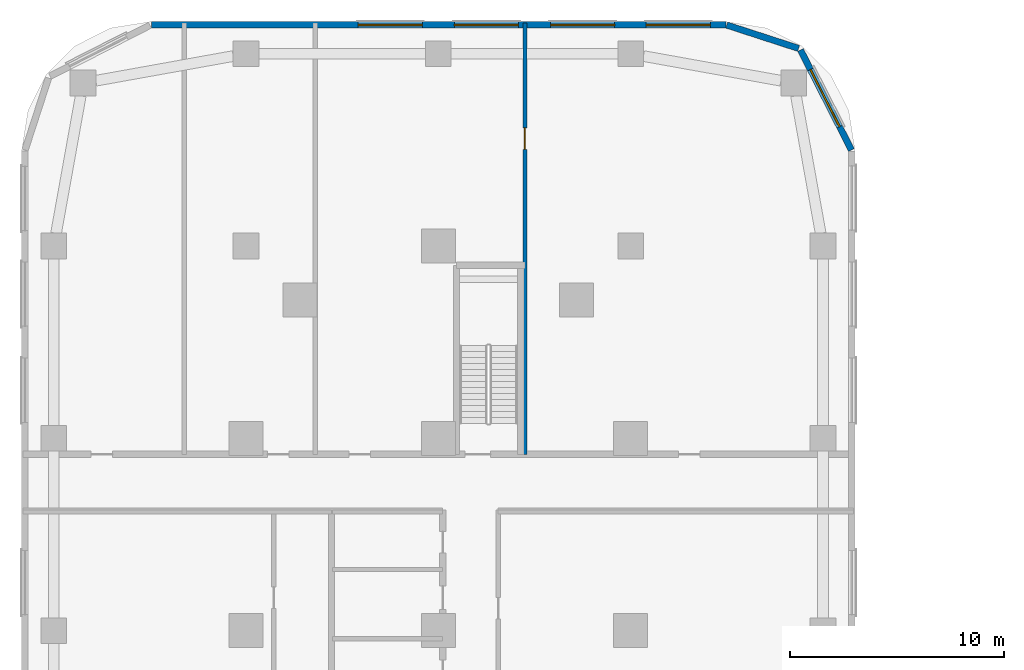
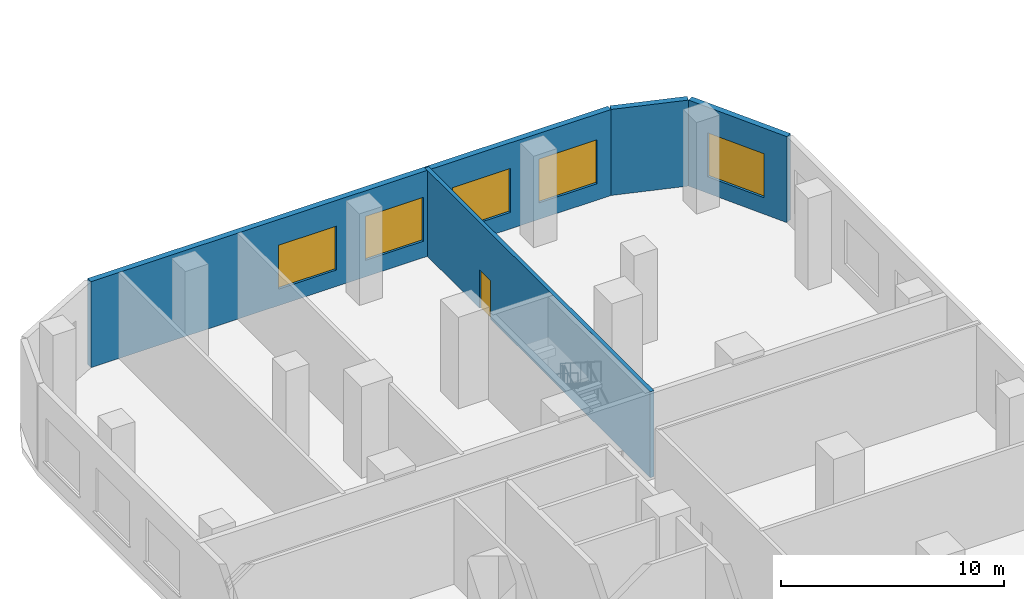
# One storey, part 15 of 35: 5 windows, 4 walls, 1 door, 6 openings.
"""IFC4 building model written with IfcOpenShell, lengths in metres."""

from ifc_helpers import new_model, si_unit, direction, frame, frame_2d, origin, place, context, subcontext, project, spatial, rectangle, extrude, material, layer, layer_set, type_object, element, fill, save


model = new_model("IFC4")

# Units and contexts
model_context = context("Model", 3, precision=1e-05, world=origin(), true_north=direction((0.0, 1.0)))
body_context = subcontext(model_context, "Body", "Model", "MODEL_VIEW")
ifc_project = project(units=[si_unit("LENGTHUNIT", "METRE"), si_unit("AREAUNIT", "SQUARE_METRE"), si_unit("VOLUMEUNIT", "CUBIC_METRE"), si_unit("PLANEANGLEUNIT", "RADIAN"), si_unit("MASSUNIT", "GRAM", prefix="KILO")], contexts=[model_context])

# Site, building, storey
site_placement = place(None, origin())
site = spatial("IfcSite", under=ifc_project, at=site_placement, CompositionType="ELEMENT")
building_placement = place(site_placement, origin())
building = spatial("IfcBuilding", under=site, at=building_placement, Name="Ogive Portal Towers", CompositionType="ELEMENT")
storey_placement = place(building_placement, frame((0.0, 0.0, 18.5)))
storey = spatial("IfcBuildingStorey", under=building, at=storey_placement, Name="L03", CompositionType="ELEMENT", Elevation=18.5)

# Wall, opening, window
ifc_material_1 = material(Name="Limestone cladding on lightweight block wall", Category="masonry")
ifc_layer_1 = layer(ifc_material_1, 0.300048828125)
ifc_layer_set_1 = layer_set([ifc_layer_1], Name="EXTERNAL WALL 300 STONE")
wall_type_1 = type_object("IfcWallType", Name="EXTERNAL WALL 300 STONE", PredefinedType="SOLIDWALL", material=ifc_layer_set_1)
wall_1_placement = place(storey_placement, frame((59.833740234375, 79.99609375, 0.0), z_axis=(0.0, 0.0, 1.0), x_axis=(-0.454006562826, 0.890998339455, 0.0)))
wall_1 = element("IfcWall", 1, at=wall_1_placement, inside=storey, type_object=wall_type_1, Name="A:L03:f12:w0", PredefinedType="SOLIDWALL", context=body_context, shape_type="SweptSolid", body=[
    extrude(rectangle(XDim=5.251708984375, YDim=0.300048828125, at=frame_2d((2.6259765625, 0.0))), origin(), (0.0, 0.0, 1.0), 4.699951171875),
])
opening_1_placement = place(wall_1_placement, frame((1.223876953125, 0.0, 0.89990234375)))
opening_1 = element("IfcOpeningElement", 2, at=opening_1_placement, cuts=wall_1, Name="Opening WN3", PredefinedType="OPENING", context=body_context, shape_type="SweptSolid", body=[
    extrude(rectangle(XDim=3.0, YDim=2.39990234375, at=frame_2d((1.5, 1.199951171875))), frame((0.0, 0.16015625, 0.0), z_axis=(0.0, -1.0, 0.0), x_axis=(1.0, 0.0, 0.0)), (0.0, 0.0, 1.0), 0.320068359375),
])
ifc_material_2 = material(Name="Glass, clear low-iron insulated glazing", Category="glass")
window_type = type_object("IfcWindowType", Name="WINDOW PODIUM 3000x2400", PartitioningType="SINGLE_PANEL", PredefinedType="WINDOW", material=ifc_material_2)
window_1_placement = place(opening_1_placement, origin())
window_1 = element("IfcWindow", 3, at=window_1_placement, inside=storey, type_object=window_type, Name="A:L03:f12:w0:o0", OverallHeight=2.39990234375, OverallWidth=3.0, PartitioningType="SINGLE_PANEL", PredefinedType="WINDOW", context=body_context, shape_type="SweptSolid", body=[
    extrude(rectangle(XDim=3.0, YDim=2.39990234375, at=frame_2d((1.5, 1.199951171875))), frame((0.0, 0.030029296875, 0.0), z_axis=(0.0, -1.0, 0.0), x_axis=(1.0, 0.0, 0.0)), (0.0, 0.0, 1.0), 0.06005859375),
])
fill(opening_1, window_1)

# Wall
wall_2_placement = place(storey_placement, frame((57.362060546875, 84.749755859375, 0.0), z_axis=(0.0, 0.0, 1.0), x_axis=(-0.951038127287, 0.309073584194, 0.0)))
element("IfcWall", 4, at=wall_2_placement, inside=storey, type_object=wall_type_1, Name="A:L03:f13:w0", PredefinedType="SOLIDWALL", context=body_context, shape_type="SweptSolid", body=[
    extrude(rectangle(XDim=3.536376953125, YDim=0.300048828125, at=frame_2d((1.76806640625, 0.0))), origin(), (0.0, 0.0, 1.0), 4.699951171875),
])

# Wall, openings, windows
wall_3_placement = place(storey_placement, frame((53.952392578125, 85.85009765625, 0.0), z_axis=(0.0, 0.0, 1.0), x_axis=(-1.0, 0.0, 0.0)))
wall_3 = element("IfcWall", 5, at=wall_3_placement, inside=storey, type_object=wall_type_1, Name="A:L03:f14:w0", PredefinedType="SOLIDWALL", context=body_context, shape_type="SweptSolid", body=[
    extrude(rectangle(XDim=26.88037109375, YDim=0.300048828125, at=frame_2d((13.440185546875, 0.0))), origin(), (0.0, 0.0, 1.0), 4.699951171875),
])
opening_2_placement = place(wall_3_placement, frame((0.726318359375, 0.0, 0.89990234375)))
opening_2 = element("IfcOpeningElement", 6, at=opening_2_placement, cuts=wall_3, Name="Opening WN3", PredefinedType="OPENING", context=body_context, shape_type="SweptSolid", body=[
    extrude(rectangle(XDim=3.0, YDim=2.39990234375, at=frame_2d((1.5, 1.199951171875))), frame((0.0, 0.16015625, 0.0), z_axis=(0.0, -1.0, 0.0), x_axis=(1.0, 0.0, 0.0)), (0.0, 0.0, 1.0), 0.320068359375),
])
opening_3_placement = place(wall_3_placement, frame((5.202392578125, 0.0, 0.89990234375)))
opening_3 = element("IfcOpeningElement", 7, at=opening_3_placement, cuts=wall_3, Name="Opening WN3", PredefinedType="OPENING", context=body_context, shape_type="SweptSolid", body=[
    extrude(rectangle(XDim=3.0, YDim=2.39990234375, at=frame_2d((1.5, 1.199951171875))), frame((0.0, 0.16015625, 0.0), z_axis=(0.0, -1.0, 0.0), x_axis=(1.0, 0.0, 0.0)), (0.0, 0.0, 1.0), 0.320068359375),
])
opening_4_placement = place(wall_3_placement, frame((9.702392578125, 0.0, 0.89990234375)))
opening_4 = element("IfcOpeningElement", 8, at=opening_4_placement, cuts=wall_3, Name="Opening WN3", PredefinedType="OPENING", context=body_context, shape_type="SweptSolid", body=[
    extrude(rectangle(XDim=3.0, YDim=2.39990234375, at=frame_2d((1.5, 1.199951171875))), frame((0.0, 0.16015625, 0.0), z_axis=(0.0, -1.0, 0.0), x_axis=(1.0, 0.0, 0.0)), (0.0, 0.0, 1.0), 0.320068359375),
])
opening_5_placement = place(wall_3_placement, frame((14.202392578125, 0.0, 0.89990234375)))
opening_5 = element("IfcOpeningElement", 9, at=opening_5_placement, cuts=wall_3, Name="Opening WN3", PredefinedType="OPENING", context=body_context, shape_type="SweptSolid", body=[
    extrude(rectangle(XDim=3.0, YDim=2.39990234375, at=frame_2d((1.5, 1.199951171875))), frame((0.0, 0.16015625, 0.0), z_axis=(0.0, -1.0, 0.0), x_axis=(1.0, 0.0, 0.0)), (0.0, 0.0, 1.0), 0.320068359375),
])
window_2_placement = place(opening_2_placement, origin())
window_2 = element("IfcWindow", 10, at=window_2_placement, inside=storey, type_object=window_type, Name="A:L03:f14:w0:o0", OverallHeight=2.39990234375, OverallWidth=3.0, PartitioningType="SINGLE_PANEL", PredefinedType="WINDOW", context=body_context, shape_type="SweptSolid", body=[
    extrude(rectangle(XDim=3.0, YDim=2.39990234375, at=frame_2d((1.5, 1.199951171875))), frame((0.0, 0.030029296875, 0.0), z_axis=(0.0, -1.0, 0.0), x_axis=(1.0, 0.0, 0.0)), (0.0, 0.0, 1.0), 0.06005859375),
])
fill(opening_2, window_2)
window_3_placement = place(opening_3_placement, origin())
window_3 = element("IfcWindow", 11, at=window_3_placement, inside=storey, type_object=window_type, Name="A:L03:f14:w0:o1a", OverallHeight=2.39990234375, OverallWidth=3.0, PartitioningType="SINGLE_PANEL", PredefinedType="WINDOW", context=body_context, shape_type="SweptSolid", body=[
    extrude(rectangle(XDim=3.0, YDim=2.39990234375, at=frame_2d((1.5, 1.199951171875))), frame((0.0, 0.030029296875, 0.0), z_axis=(0.0, -1.0, 0.0), x_axis=(1.0, 0.0, 0.0)), (0.0, 0.0, 1.0), 0.06005859375),
])
fill(opening_3, window_3)
window_4_placement = place(opening_4_placement, origin())
window_4 = element("IfcWindow", 12, at=window_4_placement, inside=storey, type_object=window_type, Name="A:L03:f14:w0:o1b", OverallHeight=2.39990234375, OverallWidth=3.0, PartitioningType="SINGLE_PANEL", PredefinedType="WINDOW", context=body_context, shape_type="SweptSolid", body=[
    extrude(rectangle(XDim=3.0, YDim=2.39990234375, at=frame_2d((1.5, 1.199951171875))), frame((0.0, 0.030029296875, 0.0), z_axis=(0.0, -1.0, 0.0), x_axis=(1.0, 0.0, 0.0)), (0.0, 0.0, 1.0), 0.06005859375),
])
fill(opening_4, window_4)
window_5_placement = place(opening_5_placement, origin())
window_5 = element("IfcWindow", 13, at=window_5_placement, inside=storey, type_object=window_type, Name="A:L03:f14:w0:o2a", OverallHeight=2.39990234375, OverallWidth=3.0, PartitioningType="SINGLE_PANEL", PredefinedType="WINDOW", context=body_context, shape_type="SweptSolid", body=[
    extrude(rectangle(XDim=3.0, YDim=2.39990234375, at=frame_2d((1.5, 1.199951171875))), frame((0.0, 0.030029296875, 0.0), z_axis=(0.0, -1.0, 0.0), x_axis=(1.0, 0.0, 0.0)), (0.0, 0.0, 1.0), 0.06005859375),
])
fill(opening_5, window_5)

# Wall, opening, door
ifc_material_3 = material(Name="Gypsum board partition on steel studs", Category="steel")
ifc_layer_2 = layer(ifc_material_3, 0.199951171875)
ifc_layer_set_2 = layer_set([ifc_layer_2], Name="WT-PART-200-EI 60")
wall_type_2 = type_object("IfcWallType", Name="WT-PART-200-EI 60", PredefinedType="PARTITIONING", material=ifc_layer_set_2)
wall_4_placement = place(storey_placement, frame((44.550048828125, 65.75, 0.0), z_axis=(0.0, 0.0, 1.0), x_axis=(0.0, 1.0, 0.0)))
wall_4 = element("IfcWall", 14, at=wall_4_placement, inside=storey, type_object=wall_type_2, Name="Wall L03:w092", PredefinedType="PARTITIONING", context=body_context, shape_type="SweptSolid", body=[
    extrude(rectangle(XDim=20.179931640625, YDim=0.199951171875, at=frame_2d((10.08984375, 0.0))), origin(), (0.0, 0.0, 1.0), 4.699951171875),
])
opening_6_placement = place(wall_4_placement, frame((14.280029296875, 0.0, 0.0)))
opening_6 = element("IfcOpeningElement", 15, at=opening_6_placement, cuts=wall_4, Name="Opening P03-008", PredefinedType="OPENING", context=body_context, shape_type="SweptSolid", body=[
    extrude(rectangle(XDim=1.0, YDim=2.10009765625, at=frame_2d((0.5, 1.050048828125))), frame((0.0, 0.10986328125, 0.0), z_axis=(0.0, -1.0, 0.0), x_axis=(1.0, 0.0, 0.0)), (0.0, 0.0, 1.0), 0.219970703125),
])
ifc_material_4 = material(Name="Steel fire door", Category="steel")
door_type = type_object("IfcDoorType", Name="DT-SWING-1000x2100-FD60S", OperationType="SINGLE_SWING_LEFT", PredefinedType="DOOR", material=ifc_material_4)
door_placement = place(opening_6_placement, origin())
door = element("IfcDoor", 16, at=door_placement, inside=storey, type_object=door_type, Name="Door P03-008", OperationType="SINGLE_SWING_RIGHT", OverallHeight=2.10009765625, OverallWidth=1.0, PredefinedType="DOOR", context=body_context, shape_type="SweptSolid", body=[
    extrude(rectangle(XDim=1.0, YDim=2.10009765625, at=frame_2d((0.5, 1.050048828125))), frame((0.0, 0.02490234375, 0.0), z_axis=(0.0, -1.0, 0.0), x_axis=(1.0, 0.0, 0.0)), (0.0, 0.0, 1.0), 0.050048828125),
])
fill(opening_6, door)

save(model, "model.ifc")
